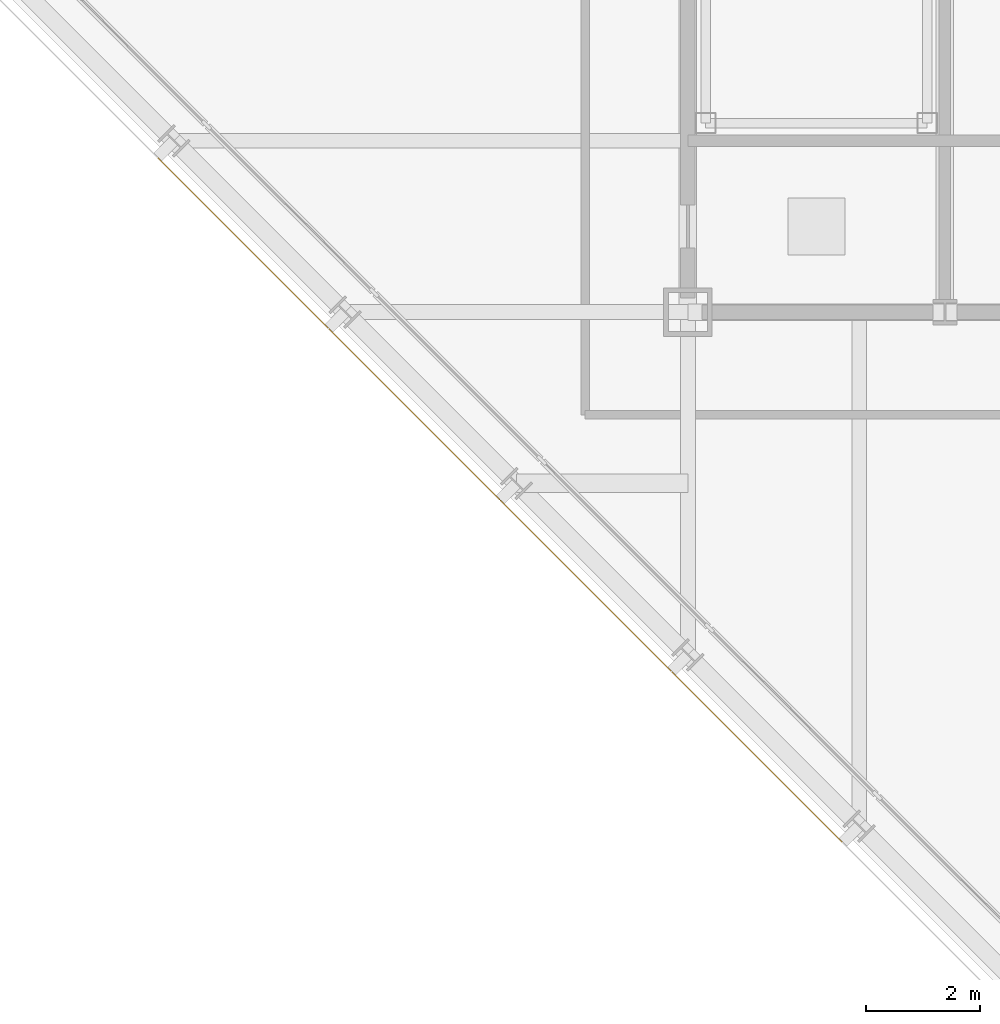
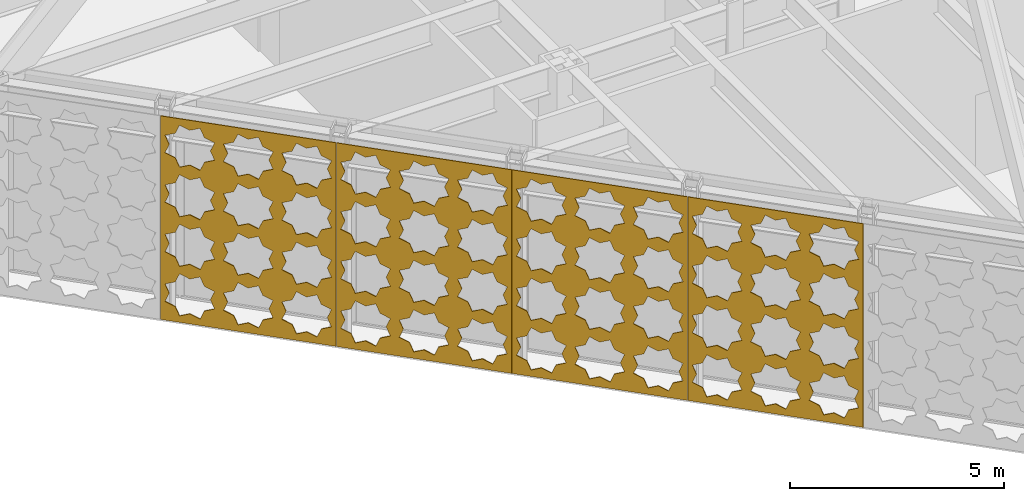
# One storey, part 22 of 30: 4 coverings.
"""IFC4 building model written with IfcOpenShell, lengths in metres."""

from ifc_helpers import new_model, si_unit, direction, frame, origin, place, context, subcontext, project, spatial, polyline, outline, extrude, material, layer, layer_set, type_object, element, save


model = new_model("IFC4")

# Units and contexts
model_context = context("Model", 3, precision=1e-05, world=origin(), true_north=direction((0.0, 1.0)))
body_context = subcontext(model_context, "Body", "Model", "MODEL_VIEW")
ifc_project = project(units=[si_unit("LENGTHUNIT", "METRE"), si_unit("AREAUNIT", "SQUARE_METRE"), si_unit("VOLUMEUNIT", "CUBIC_METRE"), si_unit("PLANEANGLEUNIT", "RADIAN"), si_unit("MASSUNIT", "GRAM", prefix="KILO")], contexts=[model_context])

# Site, building, storey
site_placement = place(None, origin())
site = spatial("IfcSite", under=ifc_project, at=site_placement, CompositionType="ELEMENT")
building_placement = place(site_placement, origin())
building = spatial("IfcBuilding", under=site, at=building_placement, Name="Chuquiago Exchange Tower", CompositionType="ELEMENT")
storey_placement = place(building_placement, frame((0.0, 0.0, 306.0)))
storey = spatial("IfcBuildingStorey", under=building, at=storey_placement, Name="L68", CompositionType="ELEMENT", Elevation=306.0)

# Coverings
ifc_material = material(Name="Anodised aluminium, pale", Category="aluminium")
ifc_layer = layer(ifc_material, 0.02001953125)
ifc_layer_set = layer_set([ifc_layer], Name="GC4 girih cladding panel 20")
covering_type = type_object("IfcCoveringType", Name="GC4 girih cladding panel 20", PredefinedType="CLADDING", material=ifc_layer_set)
covering_1_placement = place(storey_placement, frame((2.720703125, 14.713623046875, 0.0048828125), z_axis=(0.0, 0.0, 1.0), x_axis=(0.707106781187, -0.707106781187, 0.0)))
element("IfcCovering", 1, at=covering_1_placement, inside=storey, type_object=covering_type, Name="Girih cladding panel L68 SW 2", PredefinedType="CLADDING", context=body_context, shape_type="SweptSolid", body=[
    extrude(outline(polyline([(0.0, 0.0), (4.232666015625, 0.0), (4.232666015625, 5.795166015625), (0.0, 5.795166015625), (0.0, 0.0)]), holes=[polyline([(1.2021484375, 0.78125), (1.304931640625, 1.029541015625), (1.056640625, 1.132568359375), (0.953857421875, 1.380859375), (0.70556640625, 1.278076171875), (0.45703125, 1.380859375), (0.354248046875, 1.132568359375), (0.10595703125, 1.029541015625), (0.208740234375, 0.78125), (0.10595703125, 0.532958984375), (0.354248046875, 0.429931640625), (0.45703125, 0.181640625), (0.705322265625, 0.284423828125), (0.953857421875, 0.181640625), (1.056640625, 0.429931640625), (1.304931640625, 0.532958984375), (1.2021484375, 0.78125)]), polyline([(2.613037109375, 0.78125), (2.7158203125, 1.029541015625), (2.467529296875, 1.132568359375), (2.36474609375, 1.380859375), (2.116455078125, 1.278076171875), (1.867919921875, 1.380859375), (1.76513671875, 1.132568359375), (1.516845703125, 1.029541015625), (1.61962890625, 0.78125), (1.516845703125, 0.532958984375), (1.76513671875, 0.429931640625), (1.867919921875, 0.181640625), (2.116455078125, 0.284423828125), (2.36474609375, 0.181640625), (2.467529296875, 0.429931640625), (2.7158203125, 0.532958984375), (2.613037109375, 0.78125)]), polyline([(4.02392578125, 0.78125), (4.126708984375, 1.029541015625), (3.87841796875, 1.132568359375), (3.775634765625, 1.380859375), (3.527099609375, 1.278076171875), (3.27880859375, 1.380859375), (3.176025390625, 1.132568359375), (2.927734375, 1.029541015625), (3.030517578125, 0.78125), (2.927734375, 0.532958984375), (3.176025390625, 0.429931640625), (3.27880859375, 0.181640625), (3.527099609375, 0.284423828125), (3.775634765625, 0.181640625), (3.87841796875, 0.429931640625), (4.126708984375, 0.532958984375), (4.02392578125, 0.78125)]), polyline([(1.2021484375, 2.192138671875), (1.304931640625, 2.4404296875), (1.056640625, 2.54345703125), (0.953857421875, 2.791748046875), (0.70556640625, 2.68896484375), (0.45703125, 2.791748046875), (0.354248046875, 2.54345703125), (0.10595703125, 2.4404296875), (0.208740234375, 2.192138671875), (0.10595703125, 1.94384765625), (0.354248046875, 1.8408203125), (0.45703125, 1.592529296875), (0.705322265625, 1.6953125), (0.953857421875, 1.592529296875), (1.056640625, 1.8408203125), (1.304931640625, 1.94384765625), (1.2021484375, 2.192138671875)]), polyline([(2.613037109375, 2.192138671875), (2.7158203125, 2.4404296875), (2.467529296875, 2.54345703125), (2.36474609375, 2.791748046875), (2.116455078125, 2.68896484375), (1.867919921875, 2.791748046875), (1.76513671875, 2.54345703125), (1.516845703125, 2.4404296875), (1.61962890625, 2.192138671875), (1.516845703125, 1.94384765625), (1.76513671875, 1.8408203125), (1.867919921875, 1.592529296875), (2.116455078125, 1.6953125), (2.36474609375, 1.592529296875), (2.467529296875, 1.8408203125), (2.7158203125, 1.94384765625), (2.613037109375, 2.192138671875)]), polyline([(4.02392578125, 2.192138671875), (4.126708984375, 2.4404296875), (3.87841796875, 2.54345703125), (3.775634765625, 2.791748046875), (3.527099609375, 2.68896484375), (3.27880859375, 2.791748046875), (3.176025390625, 2.54345703125), (2.927734375, 2.4404296875), (3.030517578125, 2.192138671875), (2.927734375, 1.94384765625), (3.176025390625, 1.8408203125), (3.27880859375, 1.592529296875), (3.527099609375, 1.6953125), (3.775634765625, 1.592529296875), (3.87841796875, 1.8408203125), (4.126708984375, 1.94384765625), (4.02392578125, 2.192138671875)]), polyline([(1.2021484375, 3.60302734375), (1.304931640625, 3.851318359375), (1.056640625, 3.954345703125), (0.953857421875, 4.20263671875), (0.70556640625, 4.099853515625), (0.45703125, 4.20263671875), (0.354248046875, 3.954345703125), (0.10595703125, 3.851318359375), (0.208740234375, 3.60302734375), (0.10595703125, 3.354736328125), (0.354248046875, 3.251708984375), (0.45703125, 3.00341796875), (0.705322265625, 3.106201171875), (0.953857421875, 3.00341796875), (1.056640625, 3.251708984375), (1.304931640625, 3.354736328125), (1.2021484375, 3.60302734375)]), polyline([(2.613037109375, 3.60302734375), (2.7158203125, 3.851318359375), (2.467529296875, 3.954345703125), (2.36474609375, 4.20263671875), (2.116455078125, 4.099853515625), (1.867919921875, 4.20263671875), (1.76513671875, 3.954345703125), (1.516845703125, 3.851318359375), (1.61962890625, 3.60302734375), (1.516845703125, 3.354736328125), (1.76513671875, 3.251708984375), (1.867919921875, 3.00341796875), (2.116455078125, 3.106201171875), (2.36474609375, 3.00341796875), (2.467529296875, 3.251708984375), (2.7158203125, 3.354736328125), (2.613037109375, 3.60302734375)]), polyline([(4.02392578125, 3.60302734375), (4.126708984375, 3.851318359375), (3.87841796875, 3.954345703125), (3.775634765625, 4.20263671875), (3.527099609375, 4.099853515625), (3.27880859375, 4.20263671875), (3.176025390625, 3.954345703125), (2.927734375, 3.851318359375), (3.030517578125, 3.60302734375), (2.927734375, 3.354736328125), (3.176025390625, 3.251708984375), (3.27880859375, 3.00341796875), (3.527099609375, 3.106201171875), (3.775634765625, 3.00341796875), (3.87841796875, 3.251708984375), (4.126708984375, 3.354736328125), (4.02392578125, 3.60302734375)]), polyline([(1.2021484375, 5.013916015625), (1.304931640625, 5.26220703125), (1.056640625, 5.365234375), (0.953857421875, 5.613525390625), (0.70556640625, 5.5107421875), (0.45703125, 5.613525390625), (0.354248046875, 5.365234375), (0.10595703125, 5.26220703125), (0.208740234375, 5.013916015625), (0.10595703125, 4.765625), (0.354248046875, 4.66259765625), (0.45703125, 4.414306640625), (0.705322265625, 4.517333984375), (0.953857421875, 4.414306640625), (1.056640625, 4.66259765625), (1.304931640625, 4.765625), (1.2021484375, 5.013916015625)]), polyline([(2.613037109375, 5.013916015625), (2.7158203125, 5.26220703125), (2.467529296875, 5.365234375), (2.36474609375, 5.613525390625), (2.116455078125, 5.5107421875), (1.867919921875, 5.613525390625), (1.76513671875, 5.365234375), (1.516845703125, 5.26220703125), (1.61962890625, 5.013916015625), (1.516845703125, 4.765625), (1.76513671875, 4.66259765625), (1.867919921875, 4.414306640625), (2.116455078125, 4.517333984375), (2.36474609375, 4.414306640625), (2.467529296875, 4.66259765625), (2.7158203125, 4.765625), (2.613037109375, 5.013916015625)]), polyline([(4.02392578125, 5.013916015625), (4.126708984375, 5.26220703125), (3.87841796875, 5.365234375), (3.775634765625, 5.613525390625), (3.527099609375, 5.5107421875), (3.27880859375, 5.613525390625), (3.176025390625, 5.365234375), (2.927734375, 5.26220703125), (3.030517578125, 5.013916015625), (2.927734375, 4.765625), (3.176025390625, 4.66259765625), (3.27880859375, 4.414306640625), (3.527099609375, 4.517333984375), (3.775634765625, 4.414306640625), (3.87841796875, 4.66259765625), (4.126708984375, 4.765625), (4.02392578125, 5.013916015625)])]), frame((0.0, 0.0, 0.0), z_axis=(0.0, -1.0, 0.0), x_axis=(1.0, 0.0, 0.0)), (0.0, 0.0, 1.0), 0.02001953125),
])
covering_2_placement = place(storey_placement, frame((5.720703125, 11.713623046875, 0.0048828125), z_axis=(0.0, 0.0, 1.0), x_axis=(0.707106781187, -0.707106781187, 0.0)))
element("IfcCovering", 2, at=covering_2_placement, inside=storey, type_object=covering_type, Name="Girih cladding panel L68 SW 3", PredefinedType="CLADDING", context=body_context, shape_type="SweptSolid", body=[
    extrude(outline(polyline([(0.0, 0.0), (4.232666015625, 0.0), (4.232666015625, 5.795166015625), (0.0, 5.795166015625), (0.0, 0.0)]), holes=[polyline([(1.2021484375, 0.78125), (1.304931640625, 1.029541015625), (1.056640625, 1.132568359375), (0.953857421875, 1.380859375), (0.70556640625, 1.278076171875), (0.45703125, 1.380859375), (0.354248046875, 1.132568359375), (0.10595703125, 1.029541015625), (0.208740234375, 0.78125), (0.10595703125, 0.532958984375), (0.354248046875, 0.429931640625), (0.45703125, 0.181640625), (0.705322265625, 0.284423828125), (0.953857421875, 0.181640625), (1.056640625, 0.429931640625), (1.304931640625, 0.532958984375), (1.2021484375, 0.78125)]), polyline([(2.613037109375, 0.78125), (2.7158203125, 1.029541015625), (2.467529296875, 1.132568359375), (2.36474609375, 1.380859375), (2.116455078125, 1.278076171875), (1.867919921875, 1.380859375), (1.76513671875, 1.132568359375), (1.516845703125, 1.029541015625), (1.61962890625, 0.78125), (1.516845703125, 0.532958984375), (1.76513671875, 0.429931640625), (1.867919921875, 0.181640625), (2.116455078125, 0.284423828125), (2.36474609375, 0.181640625), (2.467529296875, 0.429931640625), (2.7158203125, 0.532958984375), (2.613037109375, 0.78125)]), polyline([(4.02392578125, 0.78125), (4.126708984375, 1.029541015625), (3.87841796875, 1.132568359375), (3.775634765625, 1.380859375), (3.527099609375, 1.278076171875), (3.27880859375, 1.380859375), (3.176025390625, 1.132568359375), (2.927734375, 1.029541015625), (3.030517578125, 0.78125), (2.927734375, 0.532958984375), (3.176025390625, 0.429931640625), (3.27880859375, 0.181640625), (3.527099609375, 0.284423828125), (3.775634765625, 0.181640625), (3.87841796875, 0.429931640625), (4.126708984375, 0.532958984375), (4.02392578125, 0.78125)]), polyline([(1.2021484375, 2.192138671875), (1.304931640625, 2.4404296875), (1.056640625, 2.54345703125), (0.953857421875, 2.791748046875), (0.70556640625, 2.68896484375), (0.45703125, 2.791748046875), (0.354248046875, 2.54345703125), (0.10595703125, 2.4404296875), (0.208740234375, 2.192138671875), (0.10595703125, 1.94384765625), (0.354248046875, 1.8408203125), (0.45703125, 1.592529296875), (0.705322265625, 1.6953125), (0.953857421875, 1.592529296875), (1.056640625, 1.8408203125), (1.304931640625, 1.94384765625), (1.2021484375, 2.192138671875)]), polyline([(2.613037109375, 2.192138671875), (2.7158203125, 2.4404296875), (2.467529296875, 2.54345703125), (2.36474609375, 2.791748046875), (2.116455078125, 2.68896484375), (1.867919921875, 2.791748046875), (1.76513671875, 2.54345703125), (1.516845703125, 2.4404296875), (1.61962890625, 2.192138671875), (1.516845703125, 1.94384765625), (1.76513671875, 1.8408203125), (1.867919921875, 1.592529296875), (2.116455078125, 1.6953125), (2.36474609375, 1.592529296875), (2.467529296875, 1.8408203125), (2.7158203125, 1.94384765625), (2.613037109375, 2.192138671875)]), polyline([(4.02392578125, 2.192138671875), (4.126708984375, 2.4404296875), (3.87841796875, 2.54345703125), (3.775634765625, 2.791748046875), (3.527099609375, 2.68896484375), (3.27880859375, 2.791748046875), (3.176025390625, 2.54345703125), (2.927734375, 2.4404296875), (3.030517578125, 2.192138671875), (2.927734375, 1.94384765625), (3.176025390625, 1.8408203125), (3.27880859375, 1.592529296875), (3.527099609375, 1.6953125), (3.775634765625, 1.592529296875), (3.87841796875, 1.8408203125), (4.126708984375, 1.94384765625), (4.02392578125, 2.192138671875)]), polyline([(1.2021484375, 3.60302734375), (1.304931640625, 3.851318359375), (1.056640625, 3.954345703125), (0.953857421875, 4.20263671875), (0.70556640625, 4.099853515625), (0.45703125, 4.20263671875), (0.354248046875, 3.954345703125), (0.10595703125, 3.851318359375), (0.208740234375, 3.60302734375), (0.10595703125, 3.354736328125), (0.354248046875, 3.251708984375), (0.45703125, 3.00341796875), (0.705322265625, 3.106201171875), (0.953857421875, 3.00341796875), (1.056640625, 3.251708984375), (1.304931640625, 3.354736328125), (1.2021484375, 3.60302734375)]), polyline([(2.613037109375, 3.60302734375), (2.7158203125, 3.851318359375), (2.467529296875, 3.954345703125), (2.36474609375, 4.20263671875), (2.116455078125, 4.099853515625), (1.867919921875, 4.20263671875), (1.76513671875, 3.954345703125), (1.516845703125, 3.851318359375), (1.61962890625, 3.60302734375), (1.516845703125, 3.354736328125), (1.76513671875, 3.251708984375), (1.867919921875, 3.00341796875), (2.116455078125, 3.106201171875), (2.36474609375, 3.00341796875), (2.467529296875, 3.251708984375), (2.7158203125, 3.354736328125), (2.613037109375, 3.60302734375)]), polyline([(4.02392578125, 3.60302734375), (4.126708984375, 3.851318359375), (3.87841796875, 3.954345703125), (3.775634765625, 4.20263671875), (3.527099609375, 4.099853515625), (3.27880859375, 4.20263671875), (3.176025390625, 3.954345703125), (2.927734375, 3.851318359375), (3.030517578125, 3.60302734375), (2.927734375, 3.354736328125), (3.176025390625, 3.251708984375), (3.27880859375, 3.00341796875), (3.527099609375, 3.106201171875), (3.775634765625, 3.00341796875), (3.87841796875, 3.251708984375), (4.126708984375, 3.354736328125), (4.02392578125, 3.60302734375)]), polyline([(1.2021484375, 5.013916015625), (1.304931640625, 5.26220703125), (1.056640625, 5.365234375), (0.953857421875, 5.613525390625), (0.70556640625, 5.5107421875), (0.45703125, 5.613525390625), (0.354248046875, 5.365234375), (0.10595703125, 5.26220703125), (0.208740234375, 5.013916015625), (0.10595703125, 4.765625), (0.354248046875, 4.66259765625), (0.45703125, 4.414306640625), (0.705322265625, 4.517333984375), (0.953857421875, 4.414306640625), (1.056640625, 4.66259765625), (1.304931640625, 4.765625), (1.2021484375, 5.013916015625)]), polyline([(2.613037109375, 5.013916015625), (2.7158203125, 5.26220703125), (2.467529296875, 5.365234375), (2.36474609375, 5.613525390625), (2.116455078125, 5.5107421875), (1.867919921875, 5.613525390625), (1.76513671875, 5.365234375), (1.516845703125, 5.26220703125), (1.61962890625, 5.013916015625), (1.516845703125, 4.765625), (1.76513671875, 4.66259765625), (1.867919921875, 4.414306640625), (2.116455078125, 4.517333984375), (2.36474609375, 4.414306640625), (2.467529296875, 4.66259765625), (2.7158203125, 4.765625), (2.613037109375, 5.013916015625)]), polyline([(4.02392578125, 5.013916015625), (4.126708984375, 5.26220703125), (3.87841796875, 5.365234375), (3.775634765625, 5.613525390625), (3.527099609375, 5.5107421875), (3.27880859375, 5.613525390625), (3.176025390625, 5.365234375), (2.927734375, 5.26220703125), (3.030517578125, 5.013916015625), (2.927734375, 4.765625), (3.176025390625, 4.66259765625), (3.27880859375, 4.414306640625), (3.527099609375, 4.517333984375), (3.775634765625, 4.414306640625), (3.87841796875, 4.66259765625), (4.126708984375, 4.765625), (4.02392578125, 5.013916015625)])]), frame((0.0, 0.0, 0.0), z_axis=(0.0, -1.0, 0.0), x_axis=(1.0, 0.0, 0.0)), (0.0, 0.0, 1.0), 0.02001953125),
])
covering_3_placement = place(storey_placement, frame((8.720703125, 8.713623046875, 0.0048828125), z_axis=(0.0, 0.0, 1.0), x_axis=(0.707106781187, -0.707106781187, 0.0)))
element("IfcCovering", 3, at=covering_3_placement, inside=storey, type_object=covering_type, Name="Girih cladding panel L68 SW 4", PredefinedType="CLADDING", context=body_context, shape_type="SweptSolid", body=[
    extrude(outline(polyline([(0.0, 0.0), (4.232666015625, 0.0), (4.232666015625, 5.795166015625), (0.0, 5.795166015625), (0.0, 0.0)]), holes=[polyline([(1.2021484375, 0.78125), (1.304931640625, 1.029541015625), (1.056640625, 1.132568359375), (0.953857421875, 1.380859375), (0.70556640625, 1.278076171875), (0.45703125, 1.380859375), (0.354248046875, 1.132568359375), (0.10595703125, 1.029541015625), (0.208740234375, 0.78125), (0.10595703125, 0.532958984375), (0.354248046875, 0.429931640625), (0.45703125, 0.181640625), (0.705322265625, 0.284423828125), (0.953857421875, 0.181640625), (1.056640625, 0.429931640625), (1.304931640625, 0.532958984375), (1.2021484375, 0.78125)]), polyline([(2.613037109375, 0.78125), (2.7158203125, 1.029541015625), (2.467529296875, 1.132568359375), (2.36474609375, 1.380859375), (2.116455078125, 1.278076171875), (1.867919921875, 1.380859375), (1.76513671875, 1.132568359375), (1.516845703125, 1.029541015625), (1.61962890625, 0.78125), (1.516845703125, 0.532958984375), (1.76513671875, 0.429931640625), (1.867919921875, 0.181640625), (2.116455078125, 0.284423828125), (2.36474609375, 0.181640625), (2.467529296875, 0.429931640625), (2.7158203125, 0.532958984375), (2.613037109375, 0.78125)]), polyline([(4.02392578125, 0.78125), (4.126708984375, 1.029541015625), (3.87841796875, 1.132568359375), (3.775634765625, 1.380859375), (3.527099609375, 1.278076171875), (3.27880859375, 1.380859375), (3.176025390625, 1.132568359375), (2.927734375, 1.029541015625), (3.030517578125, 0.78125), (2.927734375, 0.532958984375), (3.176025390625, 0.429931640625), (3.27880859375, 0.181640625), (3.527099609375, 0.284423828125), (3.775634765625, 0.181640625), (3.87841796875, 0.429931640625), (4.126708984375, 0.532958984375), (4.02392578125, 0.78125)]), polyline([(1.2021484375, 2.192138671875), (1.304931640625, 2.4404296875), (1.056640625, 2.54345703125), (0.953857421875, 2.791748046875), (0.70556640625, 2.68896484375), (0.45703125, 2.791748046875), (0.354248046875, 2.54345703125), (0.10595703125, 2.4404296875), (0.208740234375, 2.192138671875), (0.10595703125, 1.94384765625), (0.354248046875, 1.8408203125), (0.45703125, 1.592529296875), (0.705322265625, 1.6953125), (0.953857421875, 1.592529296875), (1.056640625, 1.8408203125), (1.304931640625, 1.94384765625), (1.2021484375, 2.192138671875)]), polyline([(2.613037109375, 2.192138671875), (2.7158203125, 2.4404296875), (2.467529296875, 2.54345703125), (2.36474609375, 2.791748046875), (2.116455078125, 2.68896484375), (1.867919921875, 2.791748046875), (1.76513671875, 2.54345703125), (1.516845703125, 2.4404296875), (1.61962890625, 2.192138671875), (1.516845703125, 1.94384765625), (1.76513671875, 1.8408203125), (1.867919921875, 1.592529296875), (2.116455078125, 1.6953125), (2.36474609375, 1.592529296875), (2.467529296875, 1.8408203125), (2.7158203125, 1.94384765625), (2.613037109375, 2.192138671875)]), polyline([(4.02392578125, 2.192138671875), (4.126708984375, 2.4404296875), (3.87841796875, 2.54345703125), (3.775634765625, 2.791748046875), (3.527099609375, 2.68896484375), (3.27880859375, 2.791748046875), (3.176025390625, 2.54345703125), (2.927734375, 2.4404296875), (3.030517578125, 2.192138671875), (2.927734375, 1.94384765625), (3.176025390625, 1.8408203125), (3.27880859375, 1.592529296875), (3.527099609375, 1.6953125), (3.775634765625, 1.592529296875), (3.87841796875, 1.8408203125), (4.126708984375, 1.94384765625), (4.02392578125, 2.192138671875)]), polyline([(1.2021484375, 3.60302734375), (1.304931640625, 3.851318359375), (1.056640625, 3.954345703125), (0.953857421875, 4.20263671875), (0.70556640625, 4.099853515625), (0.45703125, 4.20263671875), (0.354248046875, 3.954345703125), (0.10595703125, 3.851318359375), (0.208740234375, 3.60302734375), (0.10595703125, 3.354736328125), (0.354248046875, 3.251708984375), (0.45703125, 3.00341796875), (0.705322265625, 3.106201171875), (0.953857421875, 3.00341796875), (1.056640625, 3.251708984375), (1.304931640625, 3.354736328125), (1.2021484375, 3.60302734375)]), polyline([(2.613037109375, 3.60302734375), (2.7158203125, 3.851318359375), (2.467529296875, 3.954345703125), (2.36474609375, 4.20263671875), (2.116455078125, 4.099853515625), (1.867919921875, 4.20263671875), (1.76513671875, 3.954345703125), (1.516845703125, 3.851318359375), (1.61962890625, 3.60302734375), (1.516845703125, 3.354736328125), (1.76513671875, 3.251708984375), (1.867919921875, 3.00341796875), (2.116455078125, 3.106201171875), (2.36474609375, 3.00341796875), (2.467529296875, 3.251708984375), (2.7158203125, 3.354736328125), (2.613037109375, 3.60302734375)]), polyline([(4.02392578125, 3.60302734375), (4.126708984375, 3.851318359375), (3.87841796875, 3.954345703125), (3.775634765625, 4.20263671875), (3.527099609375, 4.099853515625), (3.27880859375, 4.20263671875), (3.176025390625, 3.954345703125), (2.927734375, 3.851318359375), (3.030517578125, 3.60302734375), (2.927734375, 3.354736328125), (3.176025390625, 3.251708984375), (3.27880859375, 3.00341796875), (3.527099609375, 3.106201171875), (3.775634765625, 3.00341796875), (3.87841796875, 3.251708984375), (4.126708984375, 3.354736328125), (4.02392578125, 3.60302734375)]), polyline([(1.2021484375, 5.013916015625), (1.304931640625, 5.26220703125), (1.056640625, 5.365234375), (0.953857421875, 5.613525390625), (0.70556640625, 5.5107421875), (0.45703125, 5.613525390625), (0.354248046875, 5.365234375), (0.10595703125, 5.26220703125), (0.208740234375, 5.013916015625), (0.10595703125, 4.765625), (0.354248046875, 4.66259765625), (0.45703125, 4.414306640625), (0.705322265625, 4.517333984375), (0.953857421875, 4.414306640625), (1.056640625, 4.66259765625), (1.304931640625, 4.765625), (1.2021484375, 5.013916015625)]), polyline([(2.613037109375, 5.013916015625), (2.7158203125, 5.26220703125), (2.467529296875, 5.365234375), (2.36474609375, 5.613525390625), (2.116455078125, 5.5107421875), (1.867919921875, 5.613525390625), (1.76513671875, 5.365234375), (1.516845703125, 5.26220703125), (1.61962890625, 5.013916015625), (1.516845703125, 4.765625), (1.76513671875, 4.66259765625), (1.867919921875, 4.414306640625), (2.116455078125, 4.517333984375), (2.36474609375, 4.414306640625), (2.467529296875, 4.66259765625), (2.7158203125, 4.765625), (2.613037109375, 5.013916015625)]), polyline([(4.02392578125, 5.013916015625), (4.126708984375, 5.26220703125), (3.87841796875, 5.365234375), (3.775634765625, 5.613525390625), (3.527099609375, 5.5107421875), (3.27880859375, 5.613525390625), (3.176025390625, 5.365234375), (2.927734375, 5.26220703125), (3.030517578125, 5.013916015625), (2.927734375, 4.765625), (3.176025390625, 4.66259765625), (3.27880859375, 4.414306640625), (3.527099609375, 4.517333984375), (3.775634765625, 4.414306640625), (3.87841796875, 4.66259765625), (4.126708984375, 4.765625), (4.02392578125, 5.013916015625)])]), frame((0.0, 0.0, 0.0), z_axis=(0.0, -1.0, 0.0), x_axis=(1.0, 0.0, 0.0)), (0.0, 0.0, 1.0), 0.02001953125),
])
covering_4_placement = place(storey_placement, frame((11.720703125, 5.713623046875, 0.0048828125), z_axis=(0.0, 0.0, 1.0), x_axis=(0.707106781187, -0.707106781187, 0.0)))
element("IfcCovering", 4, at=covering_4_placement, inside=storey, type_object=covering_type, Name="Girih cladding panel L68 SW 5", PredefinedType="CLADDING", context=body_context, shape_type="SweptSolid", body=[
    extrude(outline(polyline([(0.0, 0.0), (4.232666015625, 0.0), (4.232666015625, 5.795166015625), (0.0, 5.795166015625), (0.0, 0.0)]), holes=[polyline([(1.2021484375, 0.78125), (1.304931640625, 1.029541015625), (1.056640625, 1.132568359375), (0.953857421875, 1.380859375), (0.70556640625, 1.278076171875), (0.45703125, 1.380859375), (0.354248046875, 1.132568359375), (0.10595703125, 1.029541015625), (0.208740234375, 0.78125), (0.10595703125, 0.532958984375), (0.354248046875, 0.429931640625), (0.45703125, 0.181640625), (0.705322265625, 0.284423828125), (0.953857421875, 0.181640625), (1.056640625, 0.429931640625), (1.304931640625, 0.532958984375), (1.2021484375, 0.78125)]), polyline([(2.613037109375, 0.78125), (2.7158203125, 1.029541015625), (2.467529296875, 1.132568359375), (2.36474609375, 1.380859375), (2.116455078125, 1.278076171875), (1.867919921875, 1.380859375), (1.76513671875, 1.132568359375), (1.516845703125, 1.029541015625), (1.61962890625, 0.78125), (1.516845703125, 0.532958984375), (1.76513671875, 0.429931640625), (1.867919921875, 0.181640625), (2.116455078125, 0.284423828125), (2.36474609375, 0.181640625), (2.467529296875, 0.429931640625), (2.7158203125, 0.532958984375), (2.613037109375, 0.78125)]), polyline([(4.02392578125, 0.78125), (4.126708984375, 1.029541015625), (3.87841796875, 1.132568359375), (3.775634765625, 1.380859375), (3.527099609375, 1.278076171875), (3.27880859375, 1.380859375), (3.176025390625, 1.132568359375), (2.927734375, 1.029541015625), (3.030517578125, 0.78125), (2.927734375, 0.532958984375), (3.176025390625, 0.429931640625), (3.27880859375, 0.181640625), (3.527099609375, 0.284423828125), (3.775634765625, 0.181640625), (3.87841796875, 0.429931640625), (4.126708984375, 0.532958984375), (4.02392578125, 0.78125)]), polyline([(1.2021484375, 2.192138671875), (1.304931640625, 2.4404296875), (1.056640625, 2.54345703125), (0.953857421875, 2.791748046875), (0.70556640625, 2.68896484375), (0.45703125, 2.791748046875), (0.354248046875, 2.54345703125), (0.10595703125, 2.4404296875), (0.208740234375, 2.192138671875), (0.10595703125, 1.94384765625), (0.354248046875, 1.8408203125), (0.45703125, 1.592529296875), (0.705322265625, 1.6953125), (0.953857421875, 1.592529296875), (1.056640625, 1.8408203125), (1.304931640625, 1.94384765625), (1.2021484375, 2.192138671875)]), polyline([(2.613037109375, 2.192138671875), (2.7158203125, 2.4404296875), (2.467529296875, 2.54345703125), (2.36474609375, 2.791748046875), (2.116455078125, 2.68896484375), (1.867919921875, 2.791748046875), (1.76513671875, 2.54345703125), (1.516845703125, 2.4404296875), (1.61962890625, 2.192138671875), (1.516845703125, 1.94384765625), (1.76513671875, 1.8408203125), (1.867919921875, 1.592529296875), (2.116455078125, 1.6953125), (2.36474609375, 1.592529296875), (2.467529296875, 1.8408203125), (2.7158203125, 1.94384765625), (2.613037109375, 2.192138671875)]), polyline([(4.02392578125, 2.192138671875), (4.126708984375, 2.4404296875), (3.87841796875, 2.54345703125), (3.775634765625, 2.791748046875), (3.527099609375, 2.68896484375), (3.27880859375, 2.791748046875), (3.176025390625, 2.54345703125), (2.927734375, 2.4404296875), (3.030517578125, 2.192138671875), (2.927734375, 1.94384765625), (3.176025390625, 1.8408203125), (3.27880859375, 1.592529296875), (3.527099609375, 1.6953125), (3.775634765625, 1.592529296875), (3.87841796875, 1.8408203125), (4.126708984375, 1.94384765625), (4.02392578125, 2.192138671875)]), polyline([(1.2021484375, 3.60302734375), (1.304931640625, 3.851318359375), (1.056640625, 3.954345703125), (0.953857421875, 4.20263671875), (0.70556640625, 4.099853515625), (0.45703125, 4.20263671875), (0.354248046875, 3.954345703125), (0.10595703125, 3.851318359375), (0.208740234375, 3.60302734375), (0.10595703125, 3.354736328125), (0.354248046875, 3.251708984375), (0.45703125, 3.00341796875), (0.705322265625, 3.106201171875), (0.953857421875, 3.00341796875), (1.056640625, 3.251708984375), (1.304931640625, 3.354736328125), (1.2021484375, 3.60302734375)]), polyline([(2.613037109375, 3.60302734375), (2.7158203125, 3.851318359375), (2.467529296875, 3.954345703125), (2.36474609375, 4.20263671875), (2.116455078125, 4.099853515625), (1.867919921875, 4.20263671875), (1.76513671875, 3.954345703125), (1.516845703125, 3.851318359375), (1.61962890625, 3.60302734375), (1.516845703125, 3.354736328125), (1.76513671875, 3.251708984375), (1.867919921875, 3.00341796875), (2.116455078125, 3.106201171875), (2.36474609375, 3.00341796875), (2.467529296875, 3.251708984375), (2.7158203125, 3.354736328125), (2.613037109375, 3.60302734375)]), polyline([(4.02392578125, 3.60302734375), (4.126708984375, 3.851318359375), (3.87841796875, 3.954345703125), (3.775634765625, 4.20263671875), (3.527099609375, 4.099853515625), (3.27880859375, 4.20263671875), (3.176025390625, 3.954345703125), (2.927734375, 3.851318359375), (3.030517578125, 3.60302734375), (2.927734375, 3.354736328125), (3.176025390625, 3.251708984375), (3.27880859375, 3.00341796875), (3.527099609375, 3.106201171875), (3.775634765625, 3.00341796875), (3.87841796875, 3.251708984375), (4.126708984375, 3.354736328125), (4.02392578125, 3.60302734375)]), polyline([(1.2021484375, 5.013916015625), (1.304931640625, 5.26220703125), (1.056640625, 5.365234375), (0.953857421875, 5.613525390625), (0.70556640625, 5.5107421875), (0.45703125, 5.613525390625), (0.354248046875, 5.365234375), (0.10595703125, 5.26220703125), (0.208740234375, 5.013916015625), (0.10595703125, 4.765625), (0.354248046875, 4.66259765625), (0.45703125, 4.414306640625), (0.705322265625, 4.517333984375), (0.953857421875, 4.414306640625), (1.056640625, 4.66259765625), (1.304931640625, 4.765625), (1.2021484375, 5.013916015625)]), polyline([(2.613037109375, 5.013916015625), (2.7158203125, 5.26220703125), (2.467529296875, 5.365234375), (2.36474609375, 5.613525390625), (2.116455078125, 5.5107421875), (1.867919921875, 5.613525390625), (1.76513671875, 5.365234375), (1.516845703125, 5.26220703125), (1.61962890625, 5.013916015625), (1.516845703125, 4.765625), (1.76513671875, 4.66259765625), (1.867919921875, 4.414306640625), (2.116455078125, 4.517333984375), (2.36474609375, 4.414306640625), (2.467529296875, 4.66259765625), (2.7158203125, 4.765625), (2.613037109375, 5.013916015625)]), polyline([(4.02392578125, 5.013916015625), (4.126708984375, 5.26220703125), (3.87841796875, 5.365234375), (3.775634765625, 5.613525390625), (3.527099609375, 5.5107421875), (3.27880859375, 5.613525390625), (3.176025390625, 5.365234375), (2.927734375, 5.26220703125), (3.030517578125, 5.013916015625), (2.927734375, 4.765625), (3.176025390625, 4.66259765625), (3.27880859375, 4.414306640625), (3.527099609375, 4.517333984375), (3.775634765625, 4.414306640625), (3.87841796875, 4.66259765625), (4.126708984375, 4.765625), (4.02392578125, 5.013916015625)])]), frame((0.0, 0.0, 0.0), z_axis=(0.0, -1.0, 0.0), x_axis=(1.0, 0.0, 0.0)), (0.0, 0.0, 1.0), 0.02001953125),
])

save(model, "model.ifc")
